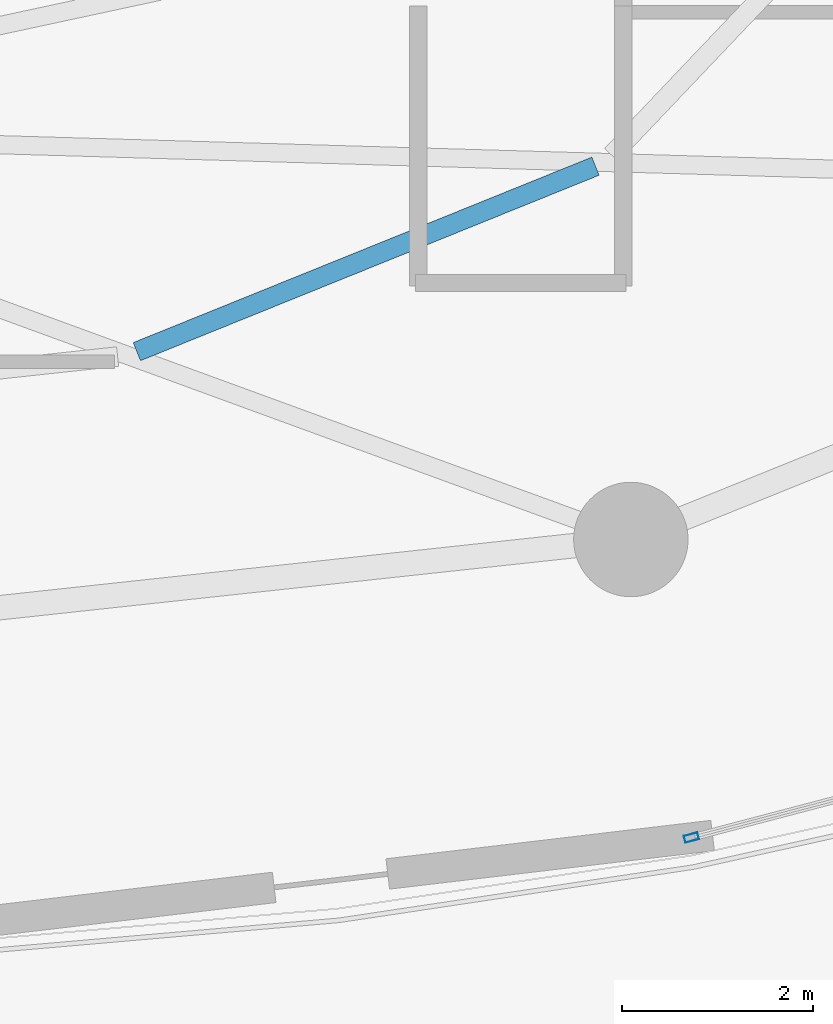
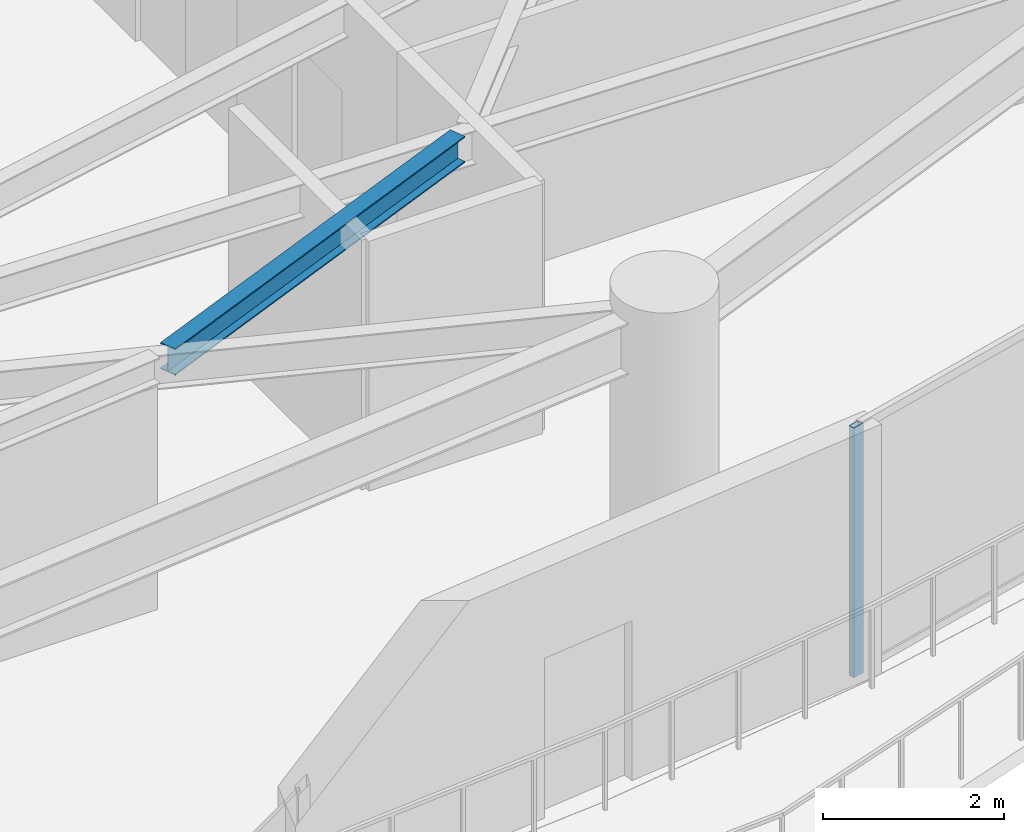
# One storey, part 12 of 34: 1 beam, 1 member, 1 element without a shape of its own.
"""IFC4 building model written with IfcOpenShell, lengths in metres."""

from ifc_helpers import new_model, si_unit, direction, frame, origin, origin_2d, place, context, subcontext, project, spatial, hollow_rectangle, i_section, extrude, material, layer, layer_set, material_profile, profile_set, type_object, element, aggregate, save


model = new_model("IFC4")

# Units and contexts
model_context = context("Model", 3, precision=1e-05, world=origin(), true_north=direction((0.0, 1.0)))
body_context = subcontext(model_context, "Body", "Model", "MODEL_VIEW")
ifc_project = project(units=[si_unit("LENGTHUNIT", "METRE"), si_unit("AREAUNIT", "SQUARE_METRE"), si_unit("VOLUMEUNIT", "CUBIC_METRE"), si_unit("PLANEANGLEUNIT", "RADIAN"), si_unit("MASSUNIT", "GRAM", prefix="KILO")], contexts=[model_context])

# Site, building, storey
site_placement = place(None, origin())
site = spatial("IfcSite", under=ifc_project, at=site_placement, CompositionType="ELEMENT")
building_placement = place(site_placement, origin())
building = spatial("IfcBuilding", under=site, at=building_placement, Name="Kazevale Care Tower and Concert Hall", CompositionType="ELEMENT")
storey_placement = place(building_placement, frame((0.0, 0.0, 163.800048828125)))
storey = spatial("IfcBuildingStorey", under=building, at=storey_placement, Name="L43", CompositionType="ELEMENT", Elevation=163.800048828125)

# Curtain wall, member
ifc_material_1 = material(Name="Aluminium 6063-T6 and Low-E Glass", Category="aluminium")
ifc_layer = layer(ifc_material_1, 0.179931640625)
ifc_layer_set = layer_set([ifc_layer], Name="Aluminium 6063-T6 and Low-E Glass")
curtain_wall_type = type_object("IfcCurtainWallType", Name="Sheltered Concave Balcony Curtain Wall CW-5", PredefinedType="NOTDEFINED", material=ifc_layer_set)
curtain_wall_placement = place(storey_placement, origin())
curtain_wall = element("IfcCurtainWall", 1, at=curtain_wall_placement, inside=storey, type_object=curtain_wall_type, Name="cw:L43:f04", PredefinedType="NOTDEFINED")
ifc_material_2 = material(Name="Aluminium 6063-T6", Category="aluminium")
ifc_material_profile_1 = material_profile(ifc_material_2, hollow_rectangle(XDim=0.074951171875, YDim=0.14990234375, WallThickness=0.00390625, at=origin_2d()), Name="ALU75x150x4")
ifc_profile_set_1 = profile_set([ifc_material_profile_1], Name="Aluminium 6063-T6")
member_type = type_object("IfcMemberType", Name="CW-5 Mullion ALU75x150x4", PredefinedType="MULLION", material=ifc_profile_set_1)
member_placement = place(storey_placement, frame((56.365234375, 16.18359375, 0.0), z_axis=(0.0, 0.0, 1.0), x_axis=(0.254238458229, -0.967141564797, 0.0)))
member = element("IfcMember", 2, at=member_placement, type_object=member_type, Name="CW-5 mullion 2", PredefinedType="MULLION", context=body_context, shape_type="SweptSolid", body=[
    extrude(hollow_rectangle(XDim=0.074951171875, YDim=0.14990234375, WallThickness=0.00390625, at=origin_2d()), origin(), (0.0, 0.0, 1.0), 3.35986328125),
])
aggregate(curtain_wall, [member])

# Beam
ifc_material_3 = material(Name="Steel ASTM A572 Gr 50", Category="steel")
ifc_material_profile_2 = material_profile(ifc_material_3, i_section(OverallWidth=0.205078125, OverallDepth=0.35400390625, WebThickness=0.009521484375, FlangeThickness=0.016845703125, at=origin_2d()), Name="W360x79")
ifc_profile_set_2 = profile_set([ifc_material_profile_2], Name="Steel ASTM A572 Gr 50")
beam_type = type_object("IfcBeamType", Name="Secondary Floor Joist W360x79", PredefinedType="JOIST", material=ifc_profile_set_2)
beam_placement = place(storey_placement, frame((50.549072265625, 21.280029296875, 3.182861328125), z_axis=(0.927064833216, 0.374901046964, 0.0), x_axis=(-0.374901046964, 0.927064833216, 0.0)))
element("IfcBeam", 3, at=beam_placement, inside=storey, type_object=beam_type, Name="beam:L43:joist:14", PredefinedType="JOIST", context=body_context, shape_type="SweptSolid", body=[
    extrude(i_section(OverallWidth=0.205078125, OverallDepth=0.35400390625, WebThickness=0.009521484375, FlangeThickness=0.016845703125, at=origin_2d()), origin(), (0.0, 0.0, 1.0), 5.188232421875),
])

save(model, "model.ifc")
